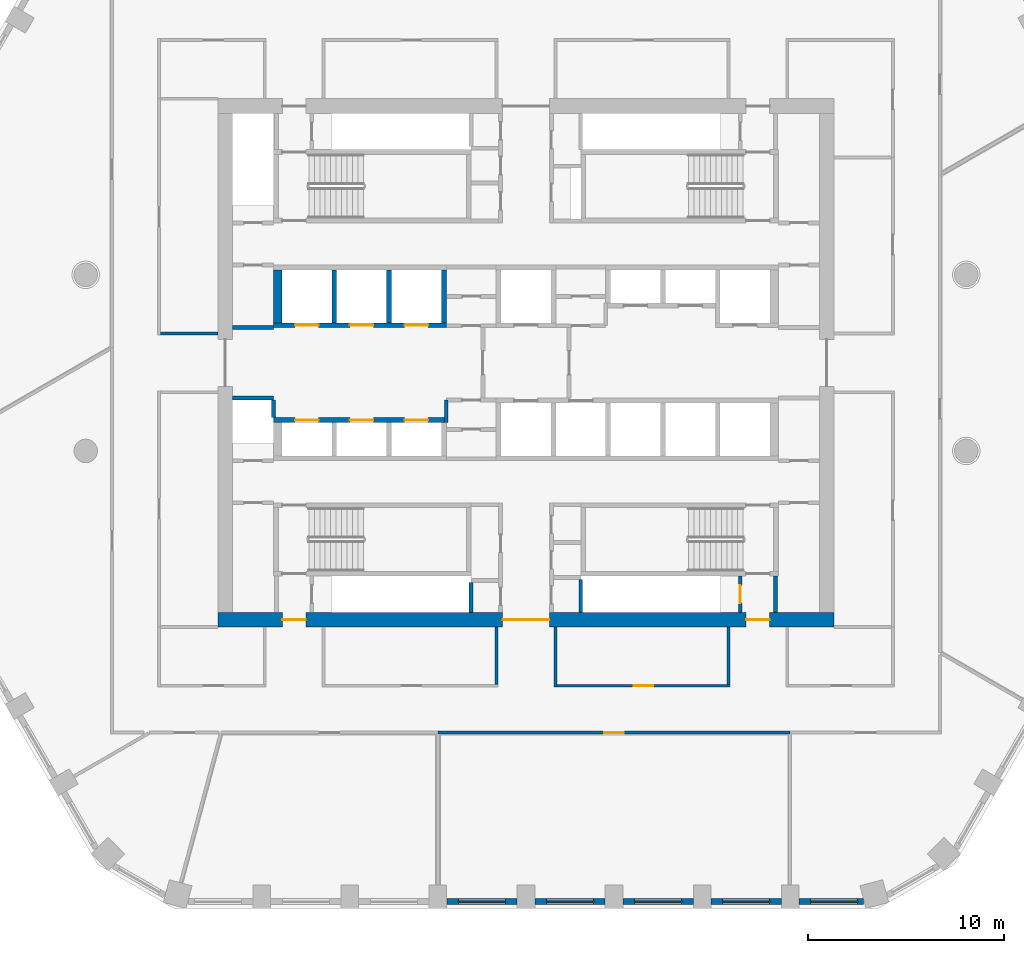
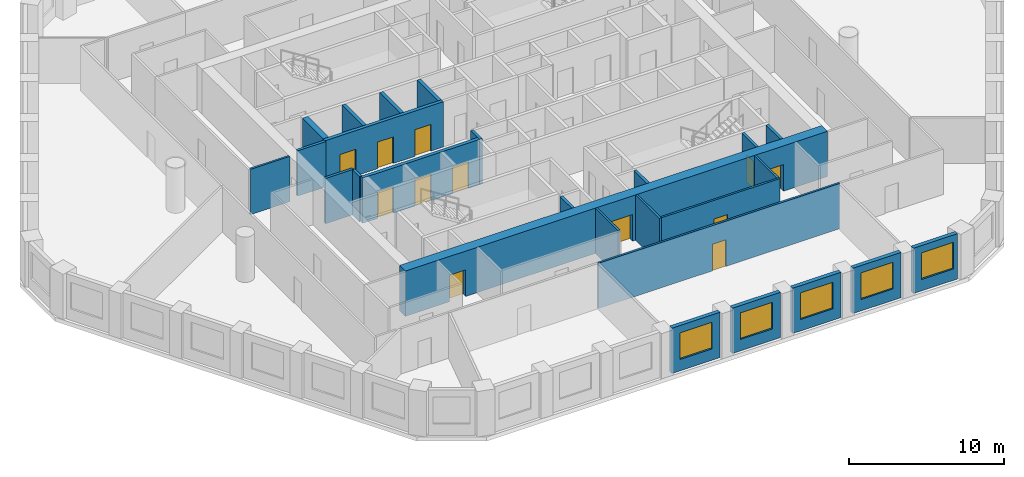
# One storey, part 3 of 14: 26 walls, 12 doors, 5 windows, 17 openings.
"""IFC4 building model written with IfcOpenShell, lengths in metres."""

from ifc_helpers import new_model, si_unit, direction, frame, frame_2d, origin, place, context, subcontext, project, spatial, polyline, rectangle, outline, extrude, material, layer, layer_set, type_object, element, fill, save


model = new_model("IFC4")

# Units and contexts
model_context = context("Model", 3, precision=1e-05, world=origin(), true_north=direction((0.0, 1.0)))
body_context = subcontext(model_context, "Body", "Model", "MODEL_VIEW")
ifc_project = project(units=[si_unit("LENGTHUNIT", "METRE"), si_unit("AREAUNIT", "SQUARE_METRE"), si_unit("VOLUMEUNIT", "CUBIC_METRE"), si_unit("PLANEANGLEUNIT", "RADIAN"), si_unit("MASSUNIT", "GRAM", prefix="KILO")], contexts=[model_context])

# Site, building, storey
site_placement = place(None, origin())
site = spatial("IfcSite", under=ifc_project, at=site_placement, CompositionType="ELEMENT")
building_placement = place(site_placement, origin())
building = spatial("IfcBuilding", under=site, at=building_placement, Name="Dhurran Vertical Campus", CompositionType="ELEMENT")
storey_placement = place(building_placement, frame((0.0, 0.0, 136.5)))
storey = spatial("IfcBuildingStorey", under=building, at=storey_placement, Name="L33", CompositionType="ELEMENT", Elevation=136.5)

# Wall, opening, window
ifc_material_1 = material(Name="Precast concrete C50/60", Category="concrete")
ifc_layer_1 = layer(ifc_material_1, 0.300048828125)
ifc_layer_set_1 = layer_set([ifc_layer_1], Name="Precast concrete C50/60")
wall_type_1 = type_object("IfcWallType", Name="Precast spandrel wall 300", PredefinedType="SOLIDWALL", material=ifc_layer_set_1)
wall_1_placement = place(storey_placement, frame((-4.049560546875, -27.53271484375, 0.0), z_axis=(0.0, 0.0, 1.0), x_axis=(1.0, 0.0, 0.0)))
wall_1 = element("IfcWall", 1, at=wall_1_placement, inside=storey, type_object=wall_type_1, Name="EW1 L33.03", PredefinedType="SOLIDWALL", context=body_context, shape_type="SweptSolid", body=[
    extrude(rectangle(XDim=3.59912109375, YDim=0.300048828125, at=frame_2d((1.799560546875, 0.0))), origin(), (0.0, 0.0, 1.0), 3.574951171875),
])
opening_1_placement = place(wall_1_placement, frame((0.599609375, 0.0, 0.89990234375)))
opening_1 = element("IfcOpeningElement", 2, at=opening_1_placement, cuts=wall_1, Name="Opening WT1", PredefinedType="OPENING", context=body_context, shape_type="SweptSolid", body=[
    extrude(rectangle(XDim=2.39990234375, YDim=2.10009765625, at=frame_2d((1.199951171875, 1.050048828125))), frame((0.0, 0.159912109375, 0.0), z_axis=(0.0, -1.0, 0.0), x_axis=(1.0, 0.0, 0.0)), (0.0, 0.0, 1.0), 0.320068359375),
])
ifc_material_2 = material(Name="Aluminium frame with solar-control glass", Category="aluminium")
window_type = type_object("IfcWindowType", Name="Punched window 2400 x 2100", PartitioningType="SINGLE_PANEL", PredefinedType="WINDOW", material=ifc_material_2)
window_1_placement = place(opening_1_placement, origin())
window_1 = element("IfcWindow", 3, at=window_1_placement, inside=storey, type_object=window_type, Name="WT1 L33.03", OverallHeight=2.10009765625, OverallWidth=2.39990234375, PartitioningType="SINGLE_PANEL", PredefinedType="WINDOW", context=body_context, shape_type="SweptSolid", body=[
    extrude(rectangle(XDim=2.39990234375, YDim=2.10009765625, at=frame_2d((1.199951171875, 1.050048828125))), frame((0.0, 0.030029296875, 0.0), z_axis=(0.0, -1.0, 0.0), x_axis=(1.0, 0.0, 0.0)), (0.0, 0.0, 1.0), 0.06005859375),
])
fill(opening_1, window_1)

wall_2_placement = place(storey_placement, frame((0.450439453125, -27.53271484375, 0.0), z_axis=(0.0, 0.0, 1.0), x_axis=(1.0, 0.0, 0.0)))
wall_2 = element("IfcWall", 4, at=wall_2_placement, inside=storey, type_object=wall_type_1, Name="EW1 L33.04", PredefinedType="SOLIDWALL", context=body_context, shape_type="SweptSolid", body=[
    extrude(rectangle(XDim=3.59912109375, YDim=0.300048828125, at=frame_2d((1.799560546875, 0.0))), origin(), (0.0, 0.0, 1.0), 3.574951171875),
])
opening_2_placement = place(wall_2_placement, frame((0.599609375, 0.0, 0.89990234375)))
opening_2 = element("IfcOpeningElement", 5, at=opening_2_placement, cuts=wall_2, Name="Opening WT1", PredefinedType="OPENING", context=body_context, shape_type="SweptSolid", body=[
    extrude(rectangle(XDim=2.39990234375, YDim=2.10009765625, at=frame_2d((1.199951171875, 1.050048828125))), frame((0.0, 0.159912109375, 0.0), z_axis=(0.0, -1.0, 0.0), x_axis=(1.0, 0.0, 0.0)), (0.0, 0.0, 1.0), 0.320068359375),
])
window_2_placement = place(opening_2_placement, origin())
window_2 = element("IfcWindow", 6, at=window_2_placement, inside=storey, type_object=window_type, Name="WT1 L33.04", OverallHeight=2.10009765625, OverallWidth=2.39990234375, PartitioningType="SINGLE_PANEL", PredefinedType="WINDOW", context=body_context, shape_type="SweptSolid", body=[
    extrude(rectangle(XDim=2.39990234375, YDim=2.10009765625, at=frame_2d((1.199951171875, 1.050048828125))), frame((0.0, 0.030029296875, 0.0), z_axis=(0.0, -1.0, 0.0), x_axis=(1.0, 0.0, 0.0)), (0.0, 0.0, 1.0), 0.06005859375),
])
fill(opening_2, window_2)

wall_3_placement = place(storey_placement, frame((4.950439453125, -27.53271484375, 0.0), z_axis=(0.0, 0.0, 1.0), x_axis=(1.0, 0.0, 0.0)))
wall_3 = element("IfcWall", 7, at=wall_3_placement, inside=storey, type_object=wall_type_1, Name="EW1 L33.05", PredefinedType="SOLIDWALL", context=body_context, shape_type="SweptSolid", body=[
    extrude(rectangle(XDim=3.59912109375, YDim=0.300048828125, at=frame_2d((1.799560546875, 0.0))), origin(), (0.0, 0.0, 1.0), 3.574951171875),
])
opening_3_placement = place(wall_3_placement, frame((0.599609375, 0.0, 0.89990234375)))
opening_3 = element("IfcOpeningElement", 8, at=opening_3_placement, cuts=wall_3, Name="Opening WT1", PredefinedType="OPENING", context=body_context, shape_type="SweptSolid", body=[
    extrude(rectangle(XDim=2.39990234375, YDim=2.10009765625, at=frame_2d((1.199951171875, 1.050048828125))), frame((0.0, 0.159912109375, 0.0), z_axis=(0.0, -1.0, 0.0), x_axis=(1.0, 0.0, 0.0)), (0.0, 0.0, 1.0), 0.320068359375),
])
window_3_placement = place(opening_3_placement, origin())
window_3 = element("IfcWindow", 9, at=window_3_placement, inside=storey, type_object=window_type, Name="WT1 L33.05", OverallHeight=2.10009765625, OverallWidth=2.39990234375, PartitioningType="SINGLE_PANEL", PredefinedType="WINDOW", context=body_context, shape_type="SweptSolid", body=[
    extrude(rectangle(XDim=2.39990234375, YDim=2.10009765625, at=frame_2d((1.199951171875, 1.050048828125))), frame((0.0, 0.030029296875, 0.0), z_axis=(0.0, -1.0, 0.0), x_axis=(1.0, 0.0, 0.0)), (0.0, 0.0, 1.0), 0.06005859375),
])
fill(opening_3, window_3)

wall_4_placement = place(storey_placement, frame((9.450439453125, -27.53271484375, 0.0), z_axis=(0.0, 0.0, 1.0), x_axis=(1.0, 0.0, 0.0)))
wall_4 = element("IfcWall", 10, at=wall_4_placement, inside=storey, type_object=wall_type_1, Name="EW1 L33.06", PredefinedType="SOLIDWALL", context=body_context, shape_type="SweptSolid", body=[
    extrude(rectangle(XDim=3.59912109375, YDim=0.300048828125, at=frame_2d((1.799560546875, 0.0))), origin(), (0.0, 0.0, 1.0), 3.574951171875),
])
opening_4_placement = place(wall_4_placement, frame((0.599609375, 0.0, 0.89990234375)))
opening_4 = element("IfcOpeningElement", 11, at=opening_4_placement, cuts=wall_4, Name="Opening WT1", PredefinedType="OPENING", context=body_context, shape_type="SweptSolid", body=[
    extrude(rectangle(XDim=2.39990234375, YDim=2.10009765625, at=frame_2d((1.199951171875, 1.050048828125))), frame((0.0, 0.159912109375, 0.0), z_axis=(0.0, -1.0, 0.0), x_axis=(1.0, 0.0, 0.0)), (0.0, 0.0, 1.0), 0.320068359375),
])
window_4_placement = place(opening_4_placement, origin())
window_4 = element("IfcWindow", 12, at=window_4_placement, inside=storey, type_object=window_type, Name="WT1 L33.06", OverallHeight=2.10009765625, OverallWidth=2.39990234375, PartitioningType="SINGLE_PANEL", PredefinedType="WINDOW", context=body_context, shape_type="SweptSolid", body=[
    extrude(rectangle(XDim=2.39990234375, YDim=2.10009765625, at=frame_2d((1.199951171875, 1.050048828125))), frame((0.0, 0.030029296875, 0.0), z_axis=(0.0, -1.0, 0.0), x_axis=(1.0, 0.0, 0.0)), (0.0, 0.0, 1.0), 0.06005859375),
])
fill(opening_4, window_4)

wall_5_placement = place(storey_placement, frame((13.950439453125, -27.53271484375, 0.0), z_axis=(0.0, 0.0, 1.0), x_axis=(1.0, 0.0, 0.0)))
wall_5 = element("IfcWall", 13, at=wall_5_placement, inside=storey, type_object=wall_type_1, Name="EW1 L33.07", PredefinedType="SOLIDWALL", context=body_context, shape_type="SweptSolid", body=[
    extrude(rectangle(XDim=3.294189453125, YDim=0.300048828125, at=frame_2d((1.64697265625, 0.0))), origin(), (0.0, 0.0, 1.0), 3.574951171875),
])
opening_5_placement = place(wall_5_placement, frame((0.599609375, 0.0, 0.89990234375)))
opening_5 = element("IfcOpeningElement", 14, at=opening_5_placement, cuts=wall_5, Name="Opening WT1", PredefinedType="OPENING", context=body_context, shape_type="SweptSolid", body=[
    extrude(rectangle(XDim=2.39990234375, YDim=2.10009765625, at=frame_2d((1.199951171875, 1.050048828125))), frame((0.0, 0.159912109375, 0.0), z_axis=(0.0, -1.0, 0.0), x_axis=(1.0, 0.0, 0.0)), (0.0, 0.0, 1.0), 0.320068359375),
])
window_5_placement = place(opening_5_placement, origin())
window_5 = element("IfcWindow", 15, at=window_5_placement, inside=storey, type_object=window_type, Name="WT1 L33.07", OverallHeight=2.10009765625, OverallWidth=2.39990234375, PartitioningType="SINGLE_PANEL", PredefinedType="WINDOW", context=body_context, shape_type="SweptSolid", body=[
    extrude(rectangle(XDim=2.39990234375, YDim=2.10009765625, at=frame_2d((1.199951171875, 1.050048828125))), frame((0.0, 0.030029296875, 0.0), z_axis=(0.0, -1.0, 0.0), x_axis=(1.0, 0.0, 0.0)), (0.0, 0.0, 1.0), 0.06005859375),
])
fill(opening_5, window_5)

# Wall, openings, doors
ifc_material_3 = material(Name="Concrete C60/75", Category="concrete")
ifc_layer_2 = layer(ifc_material_3, 0.75)
ifc_layer_set_2 = layer_set([ifc_layer_2], Name="Concrete C60/75")
wall_type_2 = type_object("IfcWallType", Name="co-CORE-WALL-C1-750", PredefinedType="SHEAR", material=ifc_layer_set_2)
wall_6_placement = place(storey_placement, frame((-15.75, -13.125, 0.0), z_axis=(0.0, 0.0, 1.0), x_axis=(1.0, 0.0, 0.0)))
wall_6 = element("IfcWall", 16, at=wall_6_placement, inside=storey, type_object=wall_type_2, Name="Core wall S L33", PredefinedType="SHEAR", context=body_context, shape_type="SweptSolid", body=[
    extrude(rectangle(XDim=31.5, YDim=0.75, at=frame_2d((15.75, 0.0))), origin(), (0.0, 0.0, 1.0), 3.574951171875),
])
opening_6_placement = place(wall_6_placement, frame((14.550048828125, 0.0, 0.0)))
opening_6 = element("IfcOpeningElement", 17, at=opening_6_placement, cuts=wall_6, Name="Opening CV2", PredefinedType="OPENING", context=body_context, shape_type="SweptSolid", body=[
    extrude(rectangle(XDim=2.39990234375, YDim=2.10009765625, at=frame_2d((1.199951171875, 1.050048828125))), frame((0.0, 0.385009765625, 0.0), z_axis=(0.0, -1.0, 0.0), x_axis=(1.0, 0.0, 0.0)), (0.0, 0.0, 1.0), 0.77001953125),
])
opening_7_placement = place(wall_6_placement, frame((3.300048828125, 0.0, 0.0)))
opening_7 = element("IfcOpeningElement", 18, at=opening_7_placement, cuts=wall_6, Name="Opening XD3", PredefinedType="OPENING", context=body_context, shape_type="SweptSolid", body=[
    extrude(rectangle(XDim=1.199951171875, YDim=2.10009765625, at=frame_2d((0.60009765625, 1.050048828125))), frame((0.0, 0.385009765625, 0.0), z_axis=(0.0, -1.0, 0.0), x_axis=(1.0, 0.0, 0.0)), (0.0, 0.0, 1.0), 0.77001953125),
])
opening_8_placement = place(wall_6_placement, frame((27.0, 0.0, 0.0)))
opening_8 = element("IfcOpeningElement", 19, at=opening_8_placement, cuts=wall_6, Name="Opening XD4", PredefinedType="OPENING", context=body_context, shape_type="SweptSolid", body=[
    extrude(rectangle(XDim=1.199951171875, YDim=2.10009765625, at=frame_2d((0.60009765625, 1.050048828125))), frame((0.0, 0.385009765625, 0.0), z_axis=(0.0, -1.0, 0.0), x_axis=(1.0, 0.0, 0.0)), (0.0, 0.0, 1.0), 0.77001953125),
])
ifc_material_4 = material(Name="Fire-rated glazed door set")
door_type_1 = type_object("IfcDoorType", Name="co-D-LOBBY 2400x2100", OperationType="DOUBLE_DOOR_DOUBLE_SWING", PredefinedType="DOOR", material=ifc_material_4)
door_1_placement = place(opening_6_placement, origin())
door_1 = element("IfcDoor", 20, at=door_1_placement, inside=storey, type_object=door_type_1, Name="Core vestibule door S L33", OperationType="DOUBLE_DOOR_DOUBLE_SWING", OverallHeight=2.10009765625, OverallWidth=2.39990234375, PredefinedType="DOOR", context=body_context, shape_type="SweptSolid", body=[
    extrude(rectangle(XDim=2.39990234375, YDim=2.10009765625, at=frame_2d((1.199951171875, 1.050048828125))), frame((0.0, 0.02490234375, 0.0), z_axis=(0.0, -1.0, 0.0), x_axis=(1.0, 0.0, 0.0)), (0.0, 0.0, 1.0), 0.050048828125),
])
fill(opening_6, door_1)
ifc_material_5 = material(Name="Fire-rated steel door set", Category="steel")
door_type_2 = type_object("IfcDoorType", Name="co-D-STAIR-EXIT 1200x2100", OperationType="SINGLE_SWING_RIGHT", PredefinedType="DOOR", material=ifc_material_5)
door_2_placement = place(opening_7_placement, origin())
door_2 = element("IfcDoor", 21, at=door_2_placement, inside=storey, type_object=door_type_2, Name="Stair ST3 exit door L33", OperationType="SINGLE_SWING_RIGHT", OverallHeight=2.10009765625, OverallWidth=1.199951171875, PredefinedType="DOOR", context=body_context, shape_type="SweptSolid", body=[
    extrude(rectangle(XDim=1.199951171875, YDim=2.10009765625, at=frame_2d((0.60009765625, 1.050048828125))), frame((0.0, 0.02490234375, 0.0), z_axis=(0.0, -1.0, 0.0), x_axis=(1.0, 0.0, 0.0)), (0.0, 0.0, 1.0), 0.050048828125),
])
fill(opening_7, door_2)
door_3_placement = place(opening_8_placement, origin())
door_3 = element("IfcDoor", 22, at=door_3_placement, inside=storey, type_object=door_type_2, Name="Stair ST4 exit door L33", OperationType="SINGLE_SWING_RIGHT", OverallHeight=2.10009765625, OverallWidth=1.199951171875, PredefinedType="DOOR", context=body_context, shape_type="SweptSolid", body=[
    extrude(rectangle(XDim=1.199951171875, YDim=2.10009765625, at=frame_2d((0.60009765625, 1.050048828125))), frame((0.0, 0.02490234375, 0.0), z_axis=(0.0, -1.0, 0.0), x_axis=(1.0, 0.0, 0.0)), (0.0, 0.0, 1.0), 0.050048828125),
])
fill(opening_8, door_3)

# Wall
ifc_material_6 = material(Name="Fire-rated masonry blockwork", Category="masonry")
ifc_layer_3 = layer(ifc_material_6, 0.199951171875)
ifc_layer_set_3 = layer_set([ifc_layer_3], Name="Fire-rated masonry blockwork")
wall_type_3 = type_object("IfcWallType", Name="co-FIRE-PARTITION-200", PredefinedType="PARTITIONING", material=ifc_layer_set_3)
wall_7_placement = place(storey_placement, frame((12.75, -12.75, 0.0), z_axis=(0.0, 0.0, 1.0), x_axis=(0.0, 1.0, 0.0)))
element("IfcWall", 23, at=wall_7_placement, inside=storey, type_object=wall_type_3, Name="Core partition pass-ST4-o L33", PredefinedType="PARTITIONING", context=body_context, shape_type="SweptSolid", body=[
    extrude(rectangle(XDim=1.85009765625, YDim=0.199951171875, at=frame_2d((0.925048828125, 0.0))), origin(), (0.0, 0.0, 1.0), 3.574951171875),
])

# Wall, opening, door
wall_8_placement = place(storey_placement, frame((10.949951171875, -12.75, 0.0), z_axis=(0.0, 0.0, 1.0), x_axis=(0.0, 1.0, 0.0)))
wall_8 = element("IfcWall", 24, at=wall_8_placement, inside=storey, type_object=wall_type_3, Name="Core partition pass-ST4-i L33", PredefinedType="PARTITIONING", context=body_context, shape_type="SweptSolid", body=[
    extrude(rectangle(XDim=1.85009765625, YDim=0.199951171875, at=frame_2d((0.925048828125, 0.0))), origin(), (0.0, 0.0, 1.0), 3.574951171875),
])
opening_9_placement = place(wall_8_placement, frame((0.47509765625, 0.0, 0.0)))
opening_9 = element("IfcOpeningElement", 25, at=opening_9_placement, cuts=wall_8, Name="Opening T09-C14", PredefinedType="OPENING", context=body_context, shape_type="SweptSolid", body=[
    extrude(rectangle(XDim=0.89990234375, YDim=2.10009765625, at=frame_2d((0.449951171875, 1.050048828125))), frame((0.0, 0.10986328125, 0.0), z_axis=(0.0, -1.0, 0.0), x_axis=(1.0, 0.0, 0.0)), (0.0, 0.0, 1.0), 0.219970703125),
])
ifc_material_7 = material(Name="Fire-rated timber door set", Category="wood")
door_type_3 = type_object("IfcDoorType", Name="co-D-ROOM 900x2100", OperationType="SINGLE_SWING_LEFT", PredefinedType="DOOR", material=ifc_material_7)
door_4_placement = place(opening_9_placement, origin())
door_4 = element("IfcDoor", 26, at=door_4_placement, inside=storey, type_object=door_type_3, Name="Riser room door L33", OperationType="SINGLE_SWING_LEFT", OverallHeight=2.10009765625, OverallWidth=0.89990234375, PredefinedType="DOOR", context=body_context, shape_type="SweptSolid", body=[
    extrude(rectangle(XDim=0.89990234375, YDim=2.10009765625, at=frame_2d((0.449951171875, 1.050048828125))), frame((0.0, 0.02490234375, 0.0), z_axis=(0.0, -1.0, 0.0), x_axis=(1.0, 0.0, 0.0)), (0.0, 0.0, 1.0), 0.050048828125),
])
fill(opening_9, door_4)

# Walls
for number, where, z_axis, x_axis, name in (
    (27, (-15.0, 1.800048828125, 0.0), (0.0, 0.0, 1.0), (1.0, 0.0, 0.0), "Core partition es-NW-l L33"),
    (28, (-15.0, -1.800048828125, 0.0), (0.0, 0.0, 1.0), (1.0, 0.0, 0.0), "Core partition es-SW-l L33"),
):
    element("IfcWall", number, at=place(storey_placement, frame(where, z_axis=z_axis, x_axis=x_axis)), inside=storey, type_object=wall_type_3, Name=name, PredefinedType="PARTITIONING", context=body_context, shape_type="SweptSolid", body=[
        extrude(rectangle(XDim=2.10009765625, YDim=0.199951171875, at=frame_2d((1.050048828125, 0.0))), origin(), (0.0, 0.0, 1.0), 3.574951171875),
    ])
wall_9_placement = place(storey_placement, frame((-4.074951171875, -1.89990234375, 0.0), z_axis=(0.0, 0.0, 1.0), x_axis=(0.0, -1.0, 0.0)))
element("IfcWall", 29, at=wall_9_placement, inside=storey, type_object=wall_type_3, Name="Core partition fr-S0-n0 L33", PredefinedType="PARTITIONING", context=body_context, shape_type="SweptSolid", body=[
    extrude(rectangle(XDim=1.150146484375, YDim=0.199951171875, at=frame_2d((0.5751953125, 0.0))), origin(), (0.0, 0.0, 1.0), 3.574951171875),
])
wall_10_placement = place(storey_placement, frame((-12.89990234375, -2.799072265625, 0.0), z_axis=(0.0, 0.0, 1.0), x_axis=(0.0, 1.0, 0.0)))
element("IfcWall", 30, at=wall_10_placement, inside=storey, type_object=wall_type_3, Name="Riser enclosure wall L33", PredefinedType="PARTITIONING", context=body_context, shape_type="SweptSolid", body=[
    extrude(rectangle(XDim=0.898193359375, YDim=0.199951171875, at=frame_2d((0.44921875, 0.0))), origin(), (0.0, 0.0, 1.0), 3.574951171875),
])
wall_11_placement = place(storey_placement, frame((-2.800048828125, -12.7490234375, 0.0), z_axis=(0.0, 0.0, 1.0), x_axis=(0.0, 1.0, 0.0)))
element("IfcWall", 31, at=wall_11_placement, inside=storey, type_object=wall_type_3, Name="Riser enclosure wall L33", PredefinedType="PARTITIONING", context=body_context, shape_type="SweptSolid", body=[
    extrude(rectangle(XDim=1.51806640625, YDim=0.199951171875, at=frame_2d((0.759033203125, 0.0))), origin(), (0.0, 0.0, 1.0), 3.574951171875),
])
wall_12_placement = place(storey_placement, frame((2.800048828125, -11.069091796875, 0.0), z_axis=(0.0, 0.0, 1.0), x_axis=(0.0, -1.0, 0.0)))
element("IfcWall", 32, at=wall_12_placement, inside=storey, type_object=wall_type_3, Name="Riser enclosure wall L33", PredefinedType="PARTITIONING", context=body_context, shape_type="SweptSolid", body=[
    extrude(rectangle(XDim=1.679931640625, YDim=0.199951171875, at=frame_2d((0.83984375, 0.0))), origin(), (0.0, 0.0, 1.0), 3.574951171875),
])

# Wall, openings, doors
ifc_material_8 = material(Name="Concrete C50/60", Category="concrete")
ifc_layer_4 = layer(ifc_material_8, 0.25)
ifc_layer_set_4 = layer_set([ifc_layer_4], Name="Concrete C50/60")
wall_type_4 = type_object("IfcWallType", Name="co-SHAFT-FRONT-250", PredefinedType="SHEAR", material=ifc_layer_set_4)
wall_13_placement = place(storey_placement, frame((-12.89990234375, 1.925048828125, 0.0), z_axis=(0.0, 0.0, 1.0), x_axis=(1.0, 0.0, 0.0)))
wall_13 = element("IfcWall", 33, at=wall_13_placement, inside=storey, type_object=wall_type_4, Name="Lift landing wall N L33", PredefinedType="SHEAR", context=body_context, shape_type="SweptSolid", body=[
    extrude(rectangle(XDim=8.824951171875, YDim=0.25, at=frame_2d((4.41259765625, 0.0))), origin(), (0.0, 0.0, 1.0), 3.574951171875),
])
opening_10_placement = place(wall_13_placement, frame((1.10009765625, 0.0, 0.0)))
opening_10 = element("IfcOpeningElement", 34, at=opening_10_placement, cuts=wall_13, Name="Opening LD", PredefinedType="OPENING", context=body_context, shape_type="SweptSolid", body=[
    extrude(rectangle(XDim=1.199951171875, YDim=2.10009765625, at=frame_2d((0.60009765625, 1.050048828125))), frame((0.0, 0.135009765625, 0.0), z_axis=(0.0, -1.0, 0.0), x_axis=(1.0, 0.0, 0.0)), (0.0, 0.0, 1.0), 0.27001953125),
])
opening_11_placement = place(wall_13_placement, frame((3.89990234375, 0.0, 0.0)))
opening_11 = element("IfcOpeningElement", 35, at=opening_11_placement, cuts=wall_13, Name="Opening LD", PredefinedType="OPENING", context=body_context, shape_type="SweptSolid", body=[
    extrude(rectangle(XDim=1.199951171875, YDim=2.10009765625, at=frame_2d((0.60009765625, 1.050048828125))), frame((0.0, 0.135009765625, 0.0), z_axis=(0.0, -1.0, 0.0), x_axis=(1.0, 0.0, 0.0)), (0.0, 0.0, 1.0), 0.27001953125),
])
opening_12_placement = place(wall_13_placement, frame((6.699951171875, 0.0, 0.0)))
opening_12 = element("IfcOpeningElement", 36, at=opening_12_placement, cuts=wall_13, Name="Opening LD", PredefinedType="OPENING", context=body_context, shape_type="SweptSolid", body=[
    extrude(rectangle(XDim=1.199951171875, YDim=2.10009765625, at=frame_2d((0.60009765625, 1.050048828125))), frame((0.0, 0.135009765625, 0.0), z_axis=(0.0, -1.0, 0.0), x_axis=(1.0, 0.0, 0.0)), (0.0, 0.0, 1.0), 0.27001953125),
])
ifc_material_9 = material(Name="Stainless steel landing door", Category="steel")
door_type_4 = type_object("IfcDoorType", Name="co-D-LANDING 1200x2100", OperationType="DOUBLE_DOOR_SLIDING", PredefinedType="DOOR", material=ifc_material_9)
door_5_placement = place(opening_10_placement, origin())
door_5 = element("IfcDoor", 37, at=door_5_placement, inside=storey, type_object=door_type_4, Name="Landing door SA1 L33", OperationType="DOUBLE_DOOR_SLIDING", OverallHeight=2.10009765625, OverallWidth=1.199951171875, PredefinedType="DOOR", context=body_context, shape_type="SweptSolid", body=[
    extrude(rectangle(XDim=1.199951171875, YDim=2.10009765625, at=frame_2d((0.60009765625, 1.050048828125))), frame((0.0, 0.02490234375, 0.0), z_axis=(0.0, -1.0, 0.0), x_axis=(1.0, 0.0, 0.0)), (0.0, 0.0, 1.0), 0.050048828125),
])
fill(opening_10, door_5)
door_6_placement = place(opening_11_placement, origin())
door_6 = element("IfcDoor", 38, at=door_6_placement, inside=storey, type_object=door_type_4, Name="Landing door SA2 L33", OperationType="DOUBLE_DOOR_SLIDING", OverallHeight=2.10009765625, OverallWidth=1.199951171875, PredefinedType="DOOR", context=body_context, shape_type="SweptSolid", body=[
    extrude(rectangle(XDim=1.199951171875, YDim=2.10009765625, at=frame_2d((0.60009765625, 1.050048828125))), frame((0.0, 0.02490234375, 0.0), z_axis=(0.0, -1.0, 0.0), x_axis=(1.0, 0.0, 0.0)), (0.0, 0.0, 1.0), 0.050048828125),
])
fill(opening_11, door_6)
door_7_placement = place(opening_12_placement, origin())
door_7 = element("IfcDoor", 39, at=door_7_placement, inside=storey, type_object=door_type_4, Name="Landing door SA3 L33", OperationType="DOUBLE_DOOR_SLIDING", OverallHeight=2.10009765625, OverallWidth=1.199951171875, PredefinedType="DOOR", context=body_context, shape_type="SweptSolid", body=[
    extrude(rectangle(XDim=1.199951171875, YDim=2.10009765625, at=frame_2d((0.60009765625, 1.050048828125))), frame((0.0, 0.02490234375, 0.0), z_axis=(0.0, -1.0, 0.0), x_axis=(1.0, 0.0, 0.0)), (0.0, 0.0, 1.0), 0.050048828125),
])
fill(opening_12, door_7)

wall_14_placement = place(storey_placement, frame((-12.89990234375, -2.925048828125, 0.0), z_axis=(0.0, 0.0, 1.0), x_axis=(1.0, 0.0, 0.0)))
wall_14 = element("IfcWall", 40, at=wall_14_placement, inside=storey, type_object=wall_type_4, Name="Lift landing wall S L33", PredefinedType="SHEAR", context=body_context, shape_type="SweptSolid", body=[
    extrude(rectangle(XDim=8.824951171875, YDim=0.25, at=frame_2d((4.41259765625, 0.0))), origin(), (0.0, 0.0, 1.0), 3.574951171875),
])
opening_13_placement = place(wall_14_placement, frame((1.10009765625, 0.0, 0.0)))
opening_13 = element("IfcOpeningElement", 41, at=opening_13_placement, cuts=wall_14, Name="Opening LD", PredefinedType="OPENING", context=body_context, shape_type="SweptSolid", body=[
    extrude(rectangle(XDim=1.199951171875, YDim=2.10009765625, at=frame_2d((0.60009765625, 1.050048828125))), frame((0.0, 0.135009765625, 0.0), z_axis=(0.0, -1.0, 0.0), x_axis=(1.0, 0.0, 0.0)), (0.0, 0.0, 1.0), 0.27001953125),
])
opening_14_placement = place(wall_14_placement, frame((3.89990234375, 0.0, 0.0)))
opening_14 = element("IfcOpeningElement", 42, at=opening_14_placement, cuts=wall_14, Name="Opening LD", PredefinedType="OPENING", context=body_context, shape_type="SweptSolid", body=[
    extrude(rectangle(XDim=1.199951171875, YDim=2.10009765625, at=frame_2d((0.60009765625, 1.050048828125))), frame((0.0, 0.135009765625, 0.0), z_axis=(0.0, -1.0, 0.0), x_axis=(1.0, 0.0, 0.0)), (0.0, 0.0, 1.0), 0.27001953125),
])
opening_15_placement = place(wall_14_placement, frame((6.699951171875, 0.0, 0.0)))
opening_15 = element("IfcOpeningElement", 43, at=opening_15_placement, cuts=wall_14, Name="Opening LD", PredefinedType="OPENING", context=body_context, shape_type="SweptSolid", body=[
    extrude(rectangle(XDim=1.199951171875, YDim=2.10009765625, at=frame_2d((0.60009765625, 1.050048828125))), frame((0.0, 0.135009765625, 0.0), z_axis=(0.0, -1.0, 0.0), x_axis=(1.0, 0.0, 0.0)), (0.0, 0.0, 1.0), 0.27001953125),
])
door_8_placement = place(opening_13_placement, origin())
door_8 = element("IfcDoor", 44, at=door_8_placement, inside=storey, type_object=door_type_4, Name="Landing door MR3 L33", OperationType="DOUBLE_DOOR_SLIDING", OverallHeight=2.10009765625, OverallWidth=1.199951171875, PredefinedType="DOOR", context=body_context, shape_type="SweptSolid", body=[
    extrude(rectangle(XDim=1.199951171875, YDim=2.10009765625, at=frame_2d((0.60009765625, 1.050048828125))), frame((0.0, 0.02490234375, 0.0), z_axis=(0.0, -1.0, 0.0), x_axis=(1.0, 0.0, 0.0)), (0.0, 0.0, 1.0), 0.050048828125),
])
fill(opening_13, door_8)
door_9_placement = place(opening_14_placement, origin())
door_9 = element("IfcDoor", 45, at=door_9_placement, inside=storey, type_object=door_type_4, Name="Landing door MR4 L33", OperationType="DOUBLE_DOOR_SLIDING", OverallHeight=2.10009765625, OverallWidth=1.199951171875, PredefinedType="DOOR", context=body_context, shape_type="SweptSolid", body=[
    extrude(rectangle(XDim=1.199951171875, YDim=2.10009765625, at=frame_2d((0.60009765625, 1.050048828125))), frame((0.0, 0.02490234375, 0.0), z_axis=(0.0, -1.0, 0.0), x_axis=(1.0, 0.0, 0.0)), (0.0, 0.0, 1.0), 0.050048828125),
])
fill(opening_14, door_9)
door_10_placement = place(opening_15_placement, origin())
door_10 = element("IfcDoor", 46, at=door_10_placement, inside=storey, type_object=door_type_4, Name="Landing door MR5 L33", OperationType="DOUBLE_DOOR_SLIDING", OverallHeight=2.10009765625, OverallWidth=1.199951171875, PredefinedType="DOOR", context=body_context, shape_type="SweptSolid", body=[
    extrude(rectangle(XDim=1.199951171875, YDim=2.10009765625, at=frame_2d((0.60009765625, 1.050048828125))), frame((0.0, 0.02490234375, 0.0), z_axis=(0.0, -1.0, 0.0), x_axis=(1.0, 0.0, 0.0)), (0.0, 0.0, 1.0), 0.050048828125),
])
fill(opening_15, door_10)

# Walls
ifc_material_10 = material(Name="Concrete C50/60", Category="concrete")
ifc_layer_5 = layer(ifc_material_10, 0.25)
ifc_layer_set_5 = layer_set([ifc_layer_5], Name="Concrete C50/60")
wall_type_5 = type_object("IfcWallType", Name="co-SHAFT-MASS-250", PredefinedType="SHEAR", material=ifc_layer_set_5)
wall_15_placement = place(storey_placement, origin())
element("IfcWall", 47, at=wall_15_placement, inside=storey, type_object=wall_type_5, Name="Lift shaft wall N L33 4", PredefinedType="SHEAR", context=body_context, shape_type="SweptSolid", body=[
    extrude(outline(polyline([(-12.89990234375, 2.050048828125), (-12.47509765625, 2.050048828125), (-12.47509765625, 4.75), (-12.89990234375, 4.75), (-12.89990234375, 2.050048828125)])), origin(), (0.0, 0.0, 1.0), 3.574951171875),
])
wall_16_placement = place(storey_placement, origin())
element("IfcWall", 48, at=wall_16_placement, inside=storey, type_object=wall_type_5, Name="Lift shaft wall N L33 5", PredefinedType="SHEAR", context=body_context, shape_type="SweptSolid", body=[
    extrude(outline(polyline([(-9.925048828125, 2.050048828125), (-9.675048828125, 2.050048828125), (-9.675048828125, 4.75), (-9.925048828125, 4.75), (-9.925048828125, 2.050048828125)])), origin(), (0.0, 0.0, 1.0), 3.574951171875),
])
wall_17_placement = place(storey_placement, origin())
element("IfcWall", 49, at=wall_17_placement, inside=storey, type_object=wall_type_5, Name="Lift shaft wall N L33 6", PredefinedType="SHEAR", context=body_context, shape_type="SweptSolid", body=[
    extrude(outline(polyline([(-7.125, 2.050048828125), (-6.875, 2.050048828125), (-6.875, 4.75), (-7.125, 4.75), (-7.125, 2.050048828125)])), origin(), (0.0, 0.0, 1.0), 3.574951171875),
])
wall_18_placement = place(storey_placement, origin())
element("IfcWall", 50, at=wall_18_placement, inside=storey, type_object=wall_type_5, Name="Lift shaft wall N L33 7", PredefinedType="SHEAR", context=body_context, shape_type="SweptSolid", body=[
    extrude(outline(polyline([(-4.324951171875, 2.050048828125), (-4.074951171875, 2.050048828125), (-4.074951171875, 4.75), (-4.324951171875, 4.75), (-4.324951171875, 2.050048828125)])), origin(), (0.0, 0.0, 1.0), 3.574951171875),
])
ifc_material_11 = material(Name="Gypsum board corridor wall on steel studs", Category="steel")
ifc_layer_6 = layer(ifc_material_11, 0.14990234375)
ifc_layer_set_6 = layer_set([ifc_layer_6], Name="Gypsum board corridor wall on steel studs")
wall_type_6 = type_object("IfcWallType", Name="fl-CW-150 corridor wall", PredefinedType="PARTITIONING", material=ifc_layer_set_6)
wall_19_placement = place(storey_placement, frame((-15.75, 1.5, 0.0), z_axis=(0.0, 0.0, 1.0), x_axis=(-1.0, 0.0, 0.0)))
element("IfcWall", 51, at=wall_19_placement, inside=storey, type_object=wall_type_6, Name="Partition 33-16", PredefinedType="PARTITIONING", context=body_context, shape_type="SweptSolid", body=[
    extrude(rectangle(XDim=2.925048828125, YDim=0.14990234375, at=frame_2d((1.46240234375, 0.0))), origin(), (0.0, 0.0, 1.0), 3.574951171875),
])

# Wall, opening, door
wall_20_placement = place(storey_placement, frame((-4.5, -18.89990234375, 0.0), z_axis=(0.0, 0.0, 1.0), x_axis=(1.0, 0.0, 0.0)))
wall_20 = element("IfcWall", 52, at=wall_20_placement, inside=storey, type_object=wall_type_6, Name="Partition 33-31", PredefinedType="PARTITIONING", context=body_context, shape_type="SweptSolid", body=[
    extrude(rectangle(XDim=18.0, YDim=0.14990234375, at=frame_2d((9.0, 0.0))), origin(), (0.0, 0.0, 1.0), 3.574951171875),
])
opening_16_placement = place(wall_20_placement, frame((8.5, 0.0, 0.0)))
opening_16 = element("IfcOpeningElement", 53, at=opening_16_placement, cuts=wall_20, Name="Opening T09.13", PredefinedType="OPENING", context=body_context, shape_type="SweptSolid", body=[
    extrude(rectangle(XDim=1.0, YDim=2.10009765625, at=frame_2d((0.5, 1.050048828125))), frame((0.0, 0.0849609375, 0.0), z_axis=(0.0, -1.0, 0.0), x_axis=(1.0, 0.0, 0.0)), (0.0, 0.0, 1.0), 0.169921875),
])
ifc_material_12 = material(Name="Solid-core timber door set, fire-rated", Category="wood")
door_type_5 = type_object("IfcDoorType", Name="fl-D-1000x2100", OperationType="SINGLE_SWING_LEFT", PredefinedType="DOOR", material=ifc_material_12)
door_11_placement = place(opening_16_placement, origin())
door_11 = element("IfcDoor", 54, at=door_11_placement, inside=storey, type_object=door_type_5, Name="Door 33.13", OperationType="SINGLE_SWING_LEFT", OverallHeight=2.10009765625, OverallWidth=1.0, PredefinedType="DOOR", context=body_context, shape_type="SweptSolid", body=[
    extrude(rectangle(XDim=1.0, YDim=2.10009765625, at=frame_2d((0.5, 1.050048828125))), frame((0.0, 0.02490234375, 0.0), z_axis=(0.0, -1.0, 0.0), x_axis=(1.0, 0.0, 0.0)), (0.0, 0.0, 1.0), 0.050048828125),
])
fill(opening_16, door_11)

# Walls
wall_21_placement = place(storey_placement, frame((-1.5, -13.5, 0.0), z_axis=(0.0, 0.0, 1.0), x_axis=(0.0, -1.0, 0.0)))
element("IfcWall", 55, at=wall_21_placement, inside=storey, type_object=wall_type_6, Name="Partition 33-32", PredefinedType="PARTITIONING", context=body_context, shape_type="SweptSolid", body=[
    extrude(rectangle(XDim=2.925048828125, YDim=0.14990234375, at=frame_2d((1.46240234375, 0.0))), origin(), (0.0, 0.0, 1.0), 3.574951171875),
])
wall_22_placement = place(storey_placement, frame((1.5, -16.574951171875, 0.0), z_axis=(0.0, 0.0, 1.0), x_axis=(0.0, 1.0, 0.0)))
element("IfcWall", 56, at=wall_22_placement, inside=storey, type_object=wall_type_6, Name="Partition 33-34", PredefinedType="PARTITIONING", context=body_context, shape_type="SweptSolid", body=[
    extrude(rectangle(XDim=3.074951171875, YDim=0.14990234375, at=frame_2d((1.53759765625, 0.0))), origin(), (0.0, 0.0, 1.0), 3.574951171875),
])

# Wall, opening, door
wall_23_placement = place(storey_placement, frame((10.425048828125, -16.5, 0.0), z_axis=(0.0, 0.0, 1.0), x_axis=(-1.0, 0.0, 0.0)))
wall_23 = element("IfcWall", 57, at=wall_23_placement, inside=storey, type_object=wall_type_6, Name="Partition 33-35", PredefinedType="PARTITIONING", context=body_context, shape_type="SweptSolid", body=[
    extrude(rectangle(XDim=8.85009765625, YDim=0.14990234375, at=frame_2d((4.425048828125, 0.0))), origin(), (0.0, 0.0, 1.0), 3.574951171875),
])
opening_17_placement = place(wall_23_placement, frame((3.925048828125, 0.0, 0.0)))
opening_17 = element("IfcOpeningElement", 58, at=opening_17_placement, cuts=wall_23, Name="Opening T09.14", PredefinedType="OPENING", context=body_context, shape_type="SweptSolid", body=[
    extrude(rectangle(XDim=1.0, YDim=2.10009765625, at=frame_2d((0.5, 1.050048828125))), frame((0.0, 0.0849609375, 0.0), z_axis=(0.0, -1.0, 0.0), x_axis=(1.0, 0.0, 0.0)), (0.0, 0.0, 1.0), 0.169921875),
])
door_12_placement = place(opening_17_placement, origin())
door_12 = element("IfcDoor", 59, at=door_12_placement, inside=storey, type_object=door_type_5, Name="Door 33.14", OperationType="SINGLE_SWING_RIGHT", OverallHeight=2.10009765625, OverallWidth=1.0, PredefinedType="DOOR", context=body_context, shape_type="SweptSolid", body=[
    extrude(rectangle(XDim=1.0, YDim=2.10009765625, at=frame_2d((0.5, 1.050048828125))), frame((0.0, 0.02490234375, 0.0), z_axis=(0.0, -1.0, 0.0), x_axis=(1.0, 0.0, 0.0)), (0.0, 0.0, 1.0), 0.050048828125),
])
fill(opening_17, door_12)

# Wall
wall_24_placement = place(storey_placement, frame((10.35009765625, -13.5, 0.0), z_axis=(0.0, 0.0, 1.0), x_axis=(0.0, -1.0, 0.0)))
element("IfcWall", 60, at=wall_24_placement, inside=storey, type_object=wall_type_6, Name="Partition 33-40", PredefinedType="PARTITIONING", context=body_context, shape_type="SweptSolid", body=[
    extrude(rectangle(XDim=2.925048828125, YDim=0.14990234375, at=frame_2d((1.46240234375, 0.0))), origin(), (0.0, 0.0, 1.0), 3.574951171875),
])

save(model, "model.ifc")
